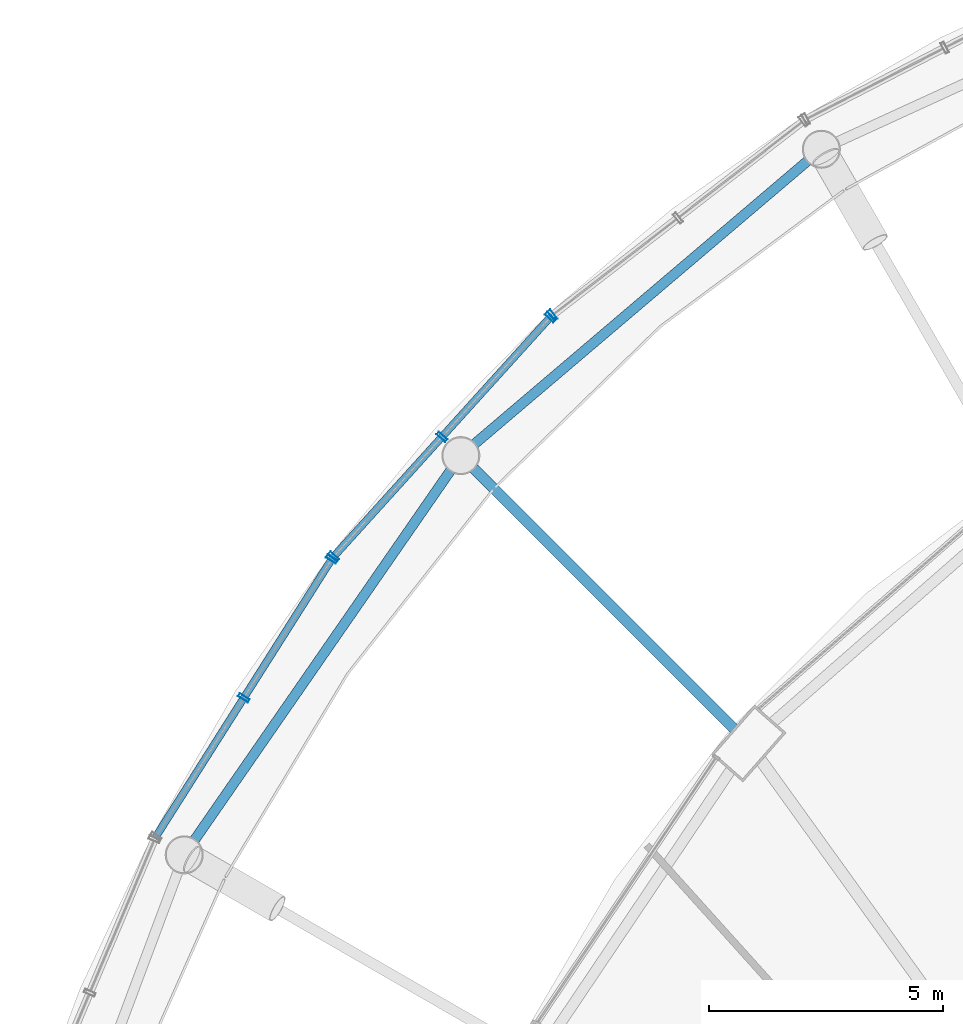
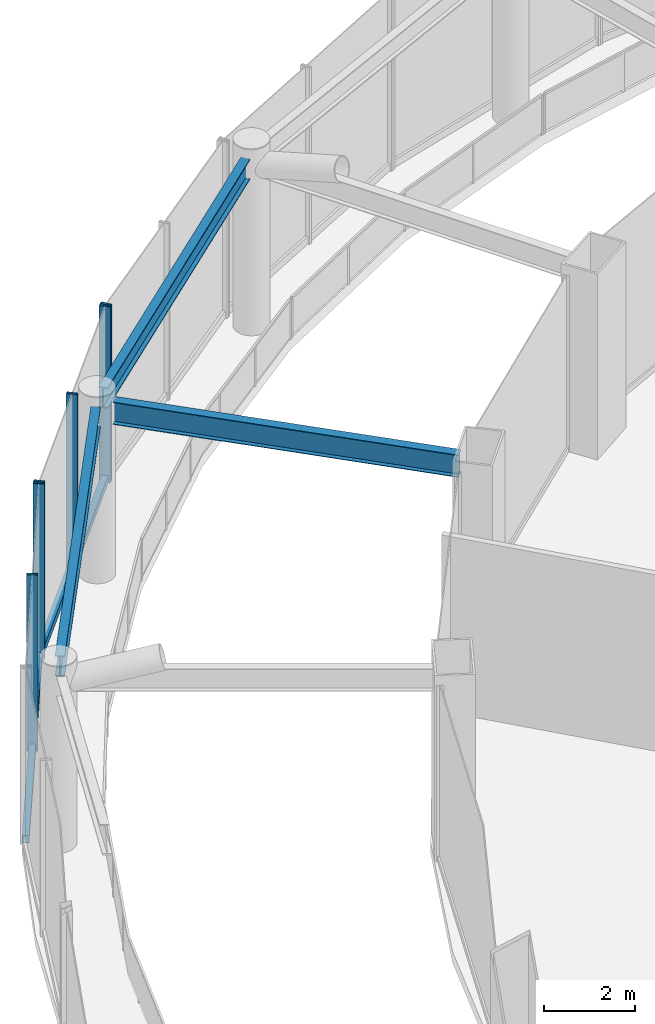
# One storey, part 30 of 52: 8 members, 3 beams, 3 elements without a shape of their own.
"""IFC4 building model written with IfcOpenShell, lengths in metres."""

from ifc_helpers import new_model, si_unit, direction, frame, origin, origin_2d, place, context, subcontext, project, spatial, hollow_rectangle, i_section, extrude, material, layer, layer_set, material_profile, profile_set, type_object, element, aggregate, save


model = new_model("IFC4")

# Units and contexts
model_context = context("Model", 3, precision=1e-05, world=origin(), true_north=direction((0.0, 1.0)))
body_context = subcontext(model_context, "Body", "Model", "MODEL_VIEW")
ifc_project = project(units=[si_unit("LENGTHUNIT", "METRE"), si_unit("AREAUNIT", "SQUARE_METRE"), si_unit("VOLUMEUNIT", "CUBIC_METRE"), si_unit("PLANEANGLEUNIT", "RADIAN"), si_unit("MASSUNIT", "GRAM", prefix="KILO")], contexts=[model_context])

# Site, building, storey
site_placement = place(None, origin())
site = spatial("IfcSite", under=ifc_project, at=site_placement, CompositionType="ELEMENT")
building_placement = place(site_placement, origin())
building = spatial("IfcBuilding", under=site, at=building_placement, Name="Nagisa Residences", CompositionType="ELEMENT")
storey_placement = place(building_placement, frame((0.0, 0.0, 22.0)))
storey = spatial("IfcBuildingStorey", under=building, at=storey_placement, Name="L04", CompositionType="ELEMENT", Elevation=22.0)

# Beams
ifc_material_1 = material(Name="Steel ASTM A572 Gr 50", Category="steel")
ifc_material_profile_1 = material_profile(ifc_material_1, i_section(OverallWidth=0.214111328125, OverallDepth=0.549072265625, WebThickness=0.0146484375, FlangeThickness=0.023681640625, at=origin_2d()), Name="W530x138")
ifc_profile_set_1 = profile_set([ifc_material_profile_1], Name="Steel ASTM A572 Gr 50")
beam_type_1 = type_object("IfcBeamType", Name="Atrium ring beam W530x138", PredefinedType="BEAM", material=ifc_profile_set_1)
beam_1_placement = place(storey_placement, frame((-15.29443359375, 35.429931640625, 4.4755859375), z_axis=(-0.762007048716, -0.647568728173, 0.0), x_axis=(0.647568728173, -0.762007048716, 0.0)))
element("IfcBeam", 1, at=beam_1_placement, inside=storey, type_object=beam_type_1, Name="beam:L04:rab09", PredefinedType="BEAM", context=body_context, shape_type="SweptSolid", body=[
    extrude(i_section(OverallWidth=0.214111328125, OverallDepth=0.549072265625, WebThickness=0.0146484375, FlangeThickness=0.023681640625, at=origin_2d()), origin(), (0.0, 0.0, 1.0), 9.337890625),
])
beam_2_placement = place(storey_placement, frame((-22.924560546875, 28.815185546875, 4.4755859375), z_axis=(-0.569488756983, -0.821999121453, 0.0), x_axis=(0.821999121453, -0.569488756983, 0.0)))
element("IfcBeam", 2, at=beam_2_placement, inside=storey, type_object=beam_type_1, Name="beam:L04:rab10", PredefinedType="BEAM", context=body_context, shape_type="SweptSolid", body=[
    extrude(i_section(OverallWidth=0.214111328125, OverallDepth=0.549072265625, WebThickness=0.0146484375, FlangeThickness=0.023681640625, at=origin_2d()), origin(), (0.0, 0.0, 1.0), 9.607666015625),
])
ifc_material_2 = material(Name="Steel ASTM A572 Gr 50", Category="steel")
ifc_material_profile_2 = material_profile(ifc_material_2, i_section(OverallWidth=0.22802734375, OverallDepth=0.60302734375, WebThickness=0.010498046875, FlangeThickness=0.014892578125, at=origin_2d()), Name="W610x101")
ifc_profile_set_2 = profile_set([ifc_material_profile_2], Name="Steel ASTM A572 Gr 50")
beam_type_2 = type_object("IfcBeamType", Name="Atrium roof beam W610x101", PredefinedType="BEAM", material=ifc_profile_set_2)
beam_3_placement = place(storey_placement, frame((-16.857177734375, 23.28564453125, 4.448486328125), z_axis=(-0.707106781187, 0.707106781187, 0.0), x_axis=(-0.707106781187, -0.707106781187, 0.0)))
element("IfcBeam", 3, at=beam_3_placement, inside=storey, type_object=beam_type_2, Name="beam:L04:rer10", PredefinedType="BEAM", context=body_context, shape_type="SweptSolid", body=[
    extrude(i_section(OverallWidth=0.22802734375, OverallDepth=0.60302734375, WebThickness=0.010498046875, FlangeThickness=0.014892578125, at=origin_2d()), origin(), (0.0, 0.0, 1.0), 7.8828125),
])

# Curtain wall, member
ifc_material_3 = material(Name="Stainless steel curtain wall system", Category="steel")
ifc_layer = layer(ifc_material_3, 0.159912109375)
ifc_layer_set = layer_set([ifc_layer], Name="CW3 CURTAIN WALL")
curtain_wall_type = type_object("IfcCurtainWallType", Name="CW3 CURTAIN WALL", PredefinedType="NOTDEFINED", material=ifc_layer_set)
curtain_wall_1_placement = place(storey_placement, origin())
curtain_wall_1 = element("IfcCurtainWall", 4, at=curtain_wall_1_placement, inside=storey, type_object=curtain_wall_type, Name="cw:CW3:L04:12", PredefinedType="NOTDEFINED")
ifc_material_4 = material(Name="Stainless steel", Category="steel")
ifc_material_profile_3 = material_profile(ifc_material_4, hollow_rectangle(XDim=0.25, YDim=0.080078125, WallThickness=0.008056640625, at=origin_2d()), Name="CW3 MULLION 250x80")
ifc_profile_set_3 = profile_set([ifc_material_profile_3], Name="Stainless steel")
member_type_1 = type_object("IfcMemberType", Name="CW3 MULLION 250x80", PredefinedType="MULLION", material=ifc_profile_set_3)
member_1_placement = place(storey_placement, frame((-20.745361328125, 32.135009765625, 0.0), z_axis=(0.0, 0.0, 1.0), x_axis=(0.612034757172, -0.790830864353, 0.0)))
member_1 = element("IfcMember", 5, at=member_1_placement, type_object=member_type_1, Name="CW3 mullion", PredefinedType="MULLION", context=body_context, shape_type="SweptSolid", body=[
    extrude(hollow_rectangle(XDim=0.25, YDim=0.080078125, WallThickness=0.008056640625, at=origin_2d()), origin(), (0.0, 0.0, 1.0), 4.739990234375),
])
aggregate(curtain_wall_1, [member_1])

# Curtain wall, members
curtain_wall_2_placement = place(storey_placement, origin())
curtain_wall_2 = element("IfcCurtainWall", 6, at=curtain_wall_2_placement, inside=storey, type_object=curtain_wall_type, Name="cw:CW3:L04:13", PredefinedType="NOTDEFINED")
member_2_placement = place(storey_placement, frame((-20.79345703125, 32.090576171875, 0.0), z_axis=(0.0, 0.0, 1.0), x_axis=(0.741535779122, -0.670913323971, 0.0)))
member_2 = element("IfcMember", 7, at=member_2_placement, type_object=member_type_1, Name="CW3 mullion", PredefinedType="MULLION", context=body_context, shape_type="SweptSolid", body=[
    extrude(hollow_rectangle(XDim=0.25, YDim=0.080078125, WallThickness=0.008056640625, at=origin_2d()), origin(), (0.0, 0.0, 1.0), 4.739990234375),
])
member_3_placement = place(storey_placement, frame((-23.1083984375, 29.53173828125, 0.0), z_axis=(0.0, 0.0, 1.0), x_axis=(0.741535779122, -0.670913323971, 0.0)))
member_3 = element("IfcMember", 8, at=member_3_placement, type_object=member_type_1, Name="CW3 mullion", PredefinedType="MULLION", context=body_context, shape_type="SweptSolid", body=[
    extrude(hollow_rectangle(XDim=0.25, YDim=0.080078125, WallThickness=0.008056640625, at=origin_2d()), origin(), (0.0, 0.0, 1.0), 4.739990234375),
])
member_4_placement = place(storey_placement, frame((-25.423583984375, 26.97314453125, 0.0), z_axis=(0.0, 0.0, 1.0), x_axis=(0.741535779122, -0.670913323971, 0.0)))
member_4 = element("IfcMember", 9, at=member_4_placement, type_object=member_type_1, Name="CW3 mullion", PredefinedType="MULLION", context=body_context, shape_type="SweptSolid", body=[
    extrude(hollow_rectangle(XDim=0.25, YDim=0.080078125, WallThickness=0.008056640625, at=origin_2d()), origin(), (0.0, 0.0, 1.0), 4.739990234375),
])

curtain_wall_3_placement = place(storey_placement, origin())
curtain_wall_3 = element("IfcCurtainWall", 10, at=curtain_wall_3_placement, inside=storey, type_object=curtain_wall_type, Name="cw:CW3:L04:14", PredefinedType="NOTDEFINED")
member_5_placement = place(storey_placement, frame((-25.463623046875, 26.92041015625, 0.0), z_axis=(0.0, 0.0, 1.0), x_axis=(0.844747368001, -0.535165286856, 0.0)))
member_5 = element("IfcMember", 11, at=member_5_placement, type_object=member_type_1, Name="CW3 mullion", PredefinedType="MULLION", context=body_context, shape_type="SweptSolid", body=[
    extrude(hollow_rectangle(XDim=0.25, YDim=0.080078125, WallThickness=0.008056640625, at=origin_2d()), origin(), (0.0, 0.0, 1.0), 4.739990234375),
])
member_6_placement = place(storey_placement, frame((-27.341796875, 23.955810546875, 0.0), z_axis=(0.0, 0.0, 1.0), x_axis=(0.844747368001, -0.535165286856, 0.0)))
member_6 = element("IfcMember", 12, at=member_6_placement, type_object=member_type_1, Name="CW3 mullion", PredefinedType="MULLION", context=body_context, shape_type="SweptSolid", body=[
    extrude(hollow_rectangle(XDim=0.25, YDim=0.080078125, WallThickness=0.008056640625, at=origin_2d()), origin(), (0.0, 0.0, 1.0), 4.739990234375),
])

# Member
ifc_material_5 = material(Name="Stainless steel", Category="steel")
ifc_material_profile_4 = material_profile(ifc_material_5, hollow_rectangle(XDim=0.159912109375, YDim=0.199951171875, WallThickness=0.008056640625, at=origin_2d()), Name="CW3 TRANSOM 160x200")
ifc_profile_set_4 = profile_set([ifc_material_profile_4], Name="Stainless steel")
member_type_2 = type_object("IfcMemberType", Name="CW3 TRANSOM 160x200", PredefinedType="USERDEFINED", material=ifc_profile_set_4)
member_7_placement = place(storey_placement, frame((-20.7666015625, 32.1201171875, 0.10009765625), z_axis=(-0.670921565259, -0.741528322635, 0.0), x_axis=(0.741528322635, -0.670921565259, 0.0)))
member_7 = element("IfcMember", 13, at=member_7_placement, type_object=member_type_2, Name="CW3 transom", ObjectType="TRANSOM", PredefinedType="USERDEFINED", context=body_context, shape_type="SweptSolid", body=[
    extrude(hollow_rectangle(XDim=0.159912109375, YDim=0.199951171875, WallThickness=0.008056640625, at=origin_2d()), origin(), (0.0, 0.0, 1.0), 6.981201171875),
])

aggregate(curtain_wall_2, [member_2, member_3, member_4, member_7])

member_8_placement = place(storey_placement, frame((-25.442138671875, 26.954345703125, 0.10009765625), z_axis=(-0.535169889444, -0.844744452147, 0.0), x_axis=(0.844744452147, -0.535169889444, 0.0)))
member_8 = element("IfcMember", 14, at=member_8_placement, type_object=member_type_2, Name="CW3 transom", ObjectType="TRANSOM", PredefinedType="USERDEFINED", context=body_context, shape_type="SweptSolid", body=[
    extrude(hollow_rectangle(XDim=0.159912109375, YDim=0.199951171875, WallThickness=0.008056640625, at=origin_2d()), origin(), (0.0, 0.0, 1.0), 7.099365234375),
])

aggregate(curtain_wall_3, [member_5, member_6, member_8])

save(model, "model.ifc")
